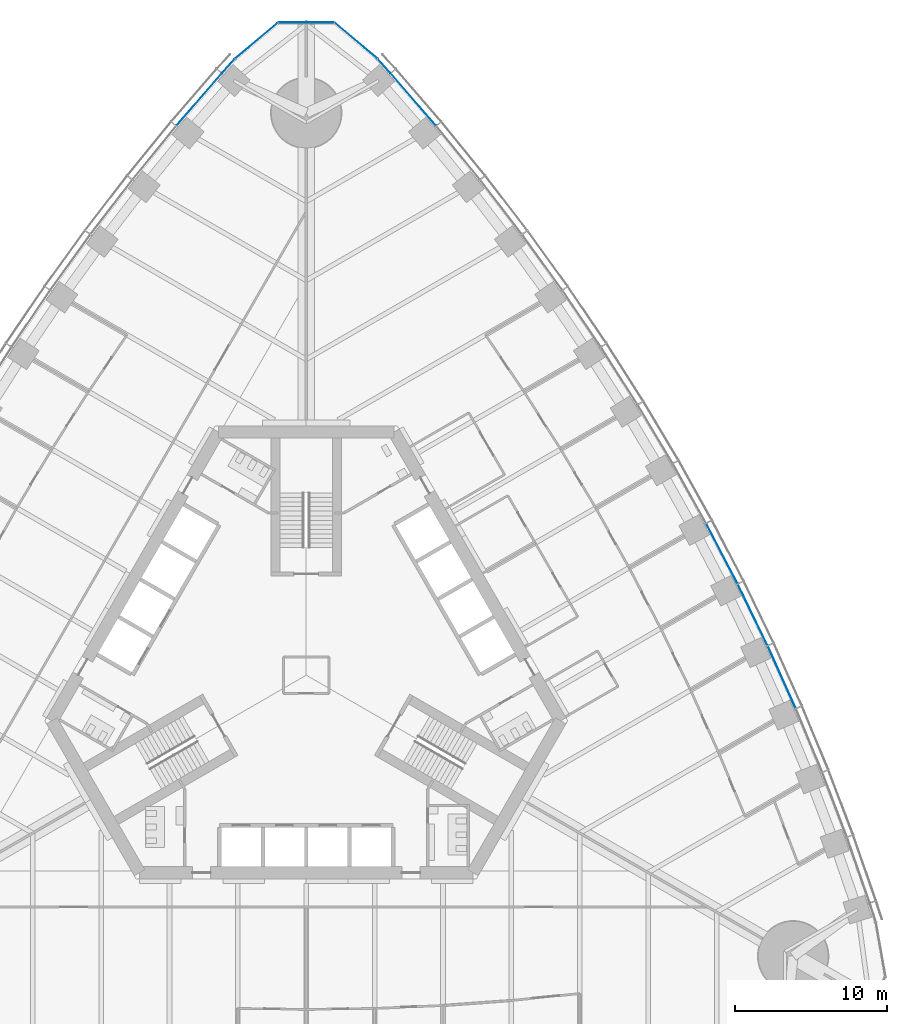
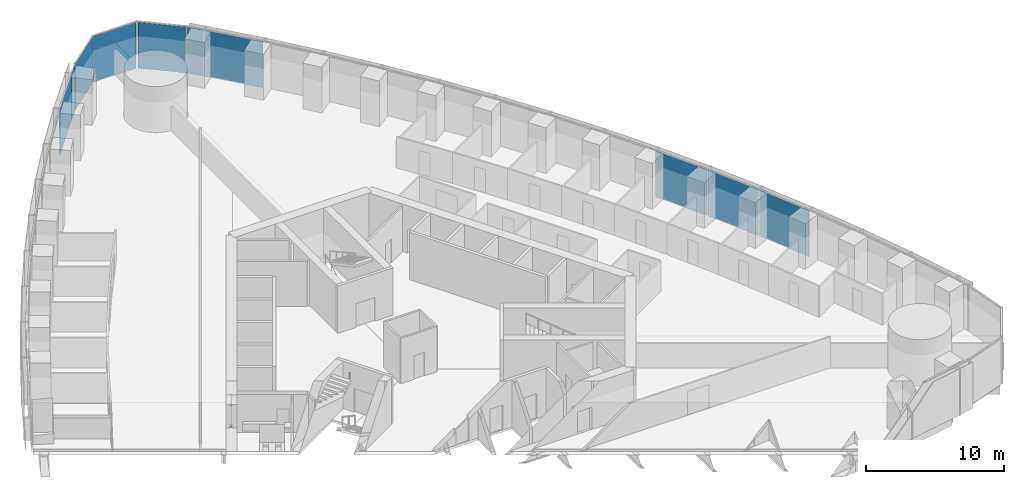
# One storey, part 9 of 18: 10 plates, 3 elements without a shape of their own.
"""IFC4 building model written with IfcOpenShell, lengths in metres."""

from ifc_helpers import new_model, si_unit, direction, frame, origin, origin_2d, place, context, subcontext, project, spatial, rectangle, extrude, material, layer, layer_set, type_object, element, aggregate, save


model = new_model("IFC4")

# Units and contexts
model_context = context("Model", 3, precision=1e-05, world=origin(), true_north=direction((0.0, 1.0)))
body_context = subcontext(model_context, "Body", "Model", "MODEL_VIEW")
ifc_project = project(units=[si_unit("LENGTHUNIT", "METRE"), si_unit("AREAUNIT", "SQUARE_METRE"), si_unit("VOLUMEUNIT", "CUBIC_METRE"), si_unit("PLANEANGLEUNIT", "RADIAN"), si_unit("MASSUNIT", "GRAM", prefix="KILO")], contexts=[model_context])

# Site, building, storey
site_placement = place(None, origin())
site = spatial("IfcSite", under=ifc_project, at=site_placement, CompositionType="ELEMENT")
building_placement = place(site_placement, origin())
building = spatial("IfcBuilding", under=site, at=building_placement, Name="Trefoil Bronze Tower", CompositionType="ELEMENT")
storey_placement = place(building_placement, frame((0.0, 0.0, 58.5)))
storey = spatial("IfcBuildingStorey", under=building, at=storey_placement, Name="L13", CompositionType="ELEMENT", Elevation=58.5)

# Curtain wall, plates
ifc_material_1 = material(Name="Tinted solar-control glass", Category="glass")
curtain_wall_type_1 = type_object("IfcCurtainWallType", Name="Bronze office curtain wall", PredefinedType="USERDEFINED", material=ifc_material_1)
curtain_wall_1_placement = place(storey_placement, origin())
curtain_wall_1 = element("IfcCurtainWall", 1, at=curtain_wall_1_placement, inside=storey, type_object=curtain_wall_type_1, Name="CW-A L13 F2", ObjectType="CURTAIN WALL", PredefinedType="USERDEFINED")
ifc_material_2 = material(Name="Tinted solar-control glass", Category="glass")
ifc_layer_1 = layer(ifc_material_2, 0.030029296875)
ifc_layer_set_1 = layer_set([ifc_layer_1], Name="Bronze office curtain wall glass panel")
plate_type_1 = type_object("IfcPlateType", Name="Bronze office curtain wall glass panel", PredefinedType="CURTAIN_PANEL", material=ifc_layer_set_1)
plate_1_placement = place(storey_placement, frame((31.28857421875, -0.1337890625, 0.0), z_axis=(0.0, 0.0, 1.0), x_axis=(-0.40945635808, 0.912329705111, 0.0)))
plate_1 = element("IfcPlate", 2, at=plate_1_placement, type_object=plate_type_1, Name="CW-A L13 F2 panel 5", PredefinedType="CURTAIN_PANEL", context=body_context, shape_type="SweptSolid", body=[
    extrude(rectangle(XDim=4.443359375, YDim=0.030029296875, at=origin_2d()), origin(), (0.0, 0.0, 1.0), 4.080078125),
])
plate_2_placement = place(storey_placement, frame((29.3779296875, 3.962646484375, 0.0), z_axis=(0.0, 0.0, 1.0), x_axis=(-0.4358553457, 0.900016731858, 0.0)))
plate_2 = element("IfcPlate", 3, at=plate_2_placement, type_object=plate_type_1, Name="CW-A L13 F2 panel 6", PredefinedType="CURTAIN_PANEL", context=body_context, shape_type="SweptSolid", body=[
    extrude(rectangle(XDim=4.431884765625, YDim=0.030029296875, at=origin_2d()), origin(), (0.0, 0.0, 1.0), 4.080078125),
])
plate_3_placement = place(storey_placement, frame((27.353271484375, 7.9931640625, 0.0), z_axis=(0.0, 0.0, 1.0), x_axis=(-0.46182981834, 0.886968555752, 0.0)))
plate_3 = element("IfcPlate", 4, at=plate_3_placement, type_object=plate_type_1, Name="CW-A L13 F2 panel 7", PredefinedType="CURTAIN_PANEL", context=body_context, shape_type="SweptSolid", body=[
    extrude(rectangle(XDim=4.42431640625, YDim=0.030029296875, at=origin_2d()), origin(), (0.0, 0.0, 1.0), 4.080078125),
])
plate_4_placement = place(storey_placement, frame((7.056396484375, 37.870849609375, 0.0), z_axis=(0.0, 0.0, 1.0), x_axis=(-0.654376090833, 0.756169248083, 0.0)))
plate_4 = element("IfcPlate", 5, at=plate_4_placement, type_object=plate_type_1, Name="CW-A L13 F2 panel 15", PredefinedType="CURTAIN_PANEL", context=body_context, shape_type="SweptSolid", body=[
    extrude(rectangle(XDim=4.502197265625, YDim=0.030029296875, at=origin_2d()), origin(), (0.0, 0.0, 1.0), 4.080078125),
])
plate_5_placement = place(storey_placement, frame((5.12451171875, 40.08447265625, 0.0), z_axis=(0.0, 0.0, 1.0), x_axis=(-0.668575006272, 0.743644714221, 0.0)))
plate_5 = element("IfcPlate", 6, at=plate_5_placement, type_object=plate_type_1, Name="CW-A L13 F2 panel 16", PredefinedType="CURTAIN_PANEL", context=body_context, shape_type="SweptSolid", body=[
    extrude(rectangle(XDim=1.21044921875, YDim=0.030029296875, at=origin_2d()), origin(), (0.0, 0.0, 1.0), 4.080078125),
])
aggregate(curtain_wall_1, [plate_1, plate_2, plate_3, plate_4, plate_5])

curtain_wall_2_placement = place(storey_placement, origin())
curtain_wall_2 = element("IfcCurtainWall", 7, at=curtain_wall_2_placement, inside=storey, type_object=curtain_wall_type_1, Name="CW-A L13 F3", ObjectType="CURTAIN WALL", PredefinedType="USERDEFINED")
plate_6_placement = place(storey_placement, frame((-5.12451171875, 40.08447265625, 0.0), z_axis=(0.0, 0.0, 1.0), x_axis=(-0.668575006272, -0.743644714221, 0.0)))
plate_6 = element("IfcPlate", 8, at=plate_6_placement, type_object=plate_type_1, Name="CW-A L13 F3 panel 1", PredefinedType="CURTAIN_PANEL", context=body_context, shape_type="SweptSolid", body=[
    extrude(rectangle(XDim=1.21044921875, YDim=0.030029296875, at=origin_2d()), origin(), (0.0, 0.0, 1.0), 4.080078125),
])
plate_7_placement = place(storey_placement, frame((-7.056396484375, 37.870849609375, 0.0), z_axis=(0.0, 0.0, 1.0), x_axis=(-0.654376090833, -0.756169248083, 0.0)))
plate_7 = element("IfcPlate", 9, at=plate_7_placement, type_object=plate_type_1, Name="CW-A L13 F3 panel 2", PredefinedType="CURTAIN_PANEL", context=body_context, shape_type="SweptSolid", body=[
    extrude(rectangle(XDim=4.502197265625, YDim=0.030029296875, at=origin_2d()), origin(), (0.0, 0.0, 1.0), 4.080078125),
])
aggregate(curtain_wall_2, [plate_6, plate_7])

ifc_material_3 = material(Name="Tinted solar-control glass", Category="glass")
curtain_wall_type_2 = type_object("IfcCurtainWallType", Name="Bronze rounded corner curtain wall", PredefinedType="USERDEFINED", material=ifc_material_3)
curtain_wall_3_placement = place(storey_placement, origin())
curtain_wall_3 = element("IfcCurtainWall", 10, at=curtain_wall_3_placement, inside=storey, type_object=curtain_wall_type_2, Name="CW-B L13 K2", ObjectType="CURTAIN WALL", PredefinedType="USERDEFINED")
ifc_material_4 = material(Name="Tinted solar-control glass", Category="glass")
ifc_layer_2 = layer(ifc_material_4, 0.030029296875)
ifc_layer_set_2 = layer_set([ifc_layer_2], Name="Bronze rounded corner curtain wall glass panel")
plate_type_2 = type_object("IfcPlateType", Name="Bronze rounded corner curtain wall glass panel", PredefinedType="CURTAIN_PANEL", material=ifc_layer_set_2)
plate_8_placement = place(storey_placement, frame((3.28564453125, 41.74658203125, 0.0), z_axis=(0.0, 0.0, 1.0), x_axis=(-0.766044443119, 0.642787609687, 0.0)))
plate_8 = element("IfcPlate", 11, at=plate_8_placement, type_object=plate_type_2, Name="CW-B L13 K2 panel 1", PredefinedType="CURTAIN_PANEL", context=body_context, shape_type="SweptSolid", body=[
    extrude(rectangle(XDim=3.588134765625, YDim=0.030029296875, at=origin_2d()), origin(), (0.0, 0.0, 1.0), 4.080078125),
])
plate_9_placement = place(storey_placement, frame((0.0, 42.9423828125, 0.0), z_axis=(0.0, 0.0, 1.0), x_axis=(-1.0, 0.0, 0.0)))
plate_9 = element("IfcPlate", 12, at=plate_9_placement, type_object=plate_type_2, Name="CW-B L13 K2 panel 2", PredefinedType="CURTAIN_PANEL", context=body_context, shape_type="SweptSolid", body=[
    extrude(rectangle(XDim=3.588134765625, YDim=0.030029296875, at=origin_2d()), origin(), (0.0, 0.0, 1.0), 4.080078125),
])
plate_10_placement = place(storey_placement, frame((-3.28564453125, 41.74658203125, 0.0), z_axis=(0.0, 0.0, 1.0), x_axis=(-0.766044443119, -0.642787609687, 0.0)))
plate_10 = element("IfcPlate", 13, at=plate_10_placement, type_object=plate_type_2, Name="CW-B L13 K2 panel 3", PredefinedType="CURTAIN_PANEL", context=body_context, shape_type="SweptSolid", body=[
    extrude(rectangle(XDim=3.588134765625, YDim=0.030029296875, at=origin_2d()), origin(), (0.0, 0.0, 1.0), 4.080078125),
])
aggregate(curtain_wall_3, [plate_8, plate_9, plate_10])

save(model, "model.ifc")
